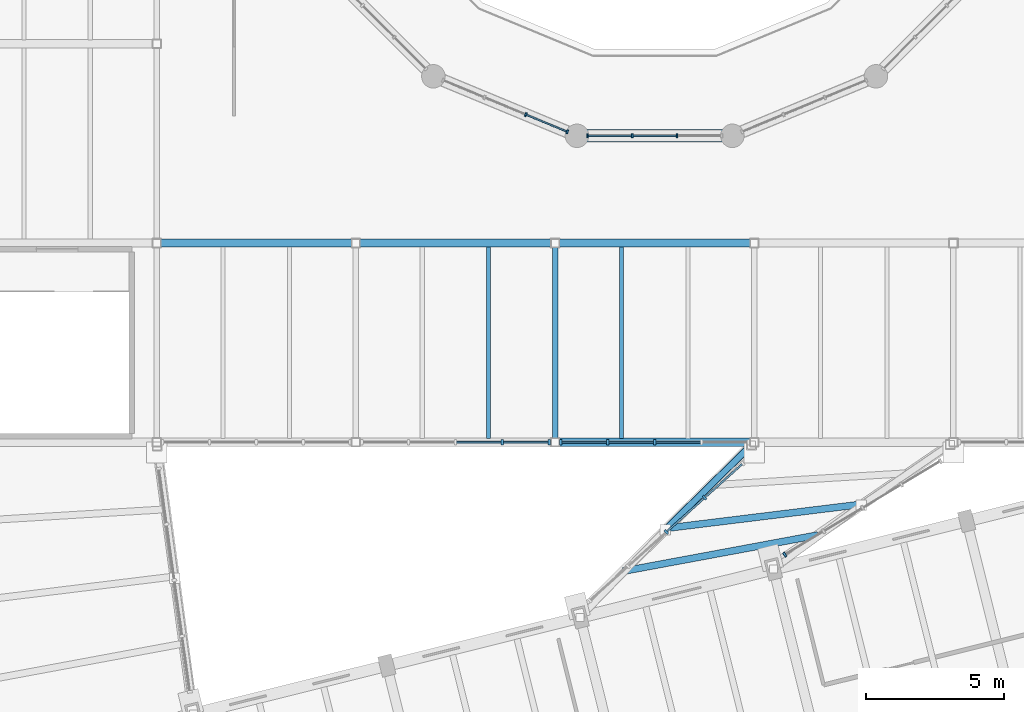
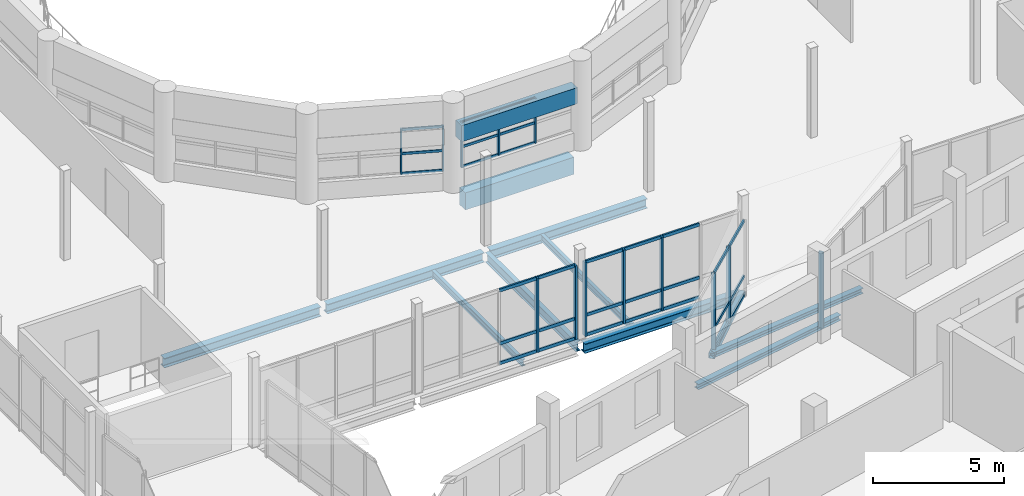
# One storey, part 19 of 63: 44 members, 11 beams, 6 elements without a shape of their own.
"""IFC4 building model written with IfcOpenShell, lengths in metres."""

from ifc_helpers import new_model, si_unit, direction, frame, origin, origin_2d, place, context, subcontext, project, spatial, rectangle, hollow_rectangle, i_section, extrude, material, material_profile, profile_set, type_object, element, aggregate, save


model = new_model("IFC4")

# Units and contexts
model_context = context("Model", 3, precision=1e-05, world=origin(), true_north=direction((0.0, 1.0)))
body_context = subcontext(model_context, "Body", "Model", "MODEL_VIEW")
ifc_project = project(units=[si_unit("LENGTHUNIT", "METRE"), si_unit("AREAUNIT", "SQUARE_METRE"), si_unit("VOLUMEUNIT", "CUBIC_METRE"), si_unit("PLANEANGLEUNIT", "RADIAN"), si_unit("MASSUNIT", "GRAM", prefix="KILO")], contexts=[model_context])

# Site, building, storey
site_placement = place(None, origin())
site = spatial("IfcSite", under=ifc_project, at=site_placement, CompositionType="ELEMENT")
building_placement = place(site_placement, origin())
building = spatial("IfcBuilding", under=site, at=building_placement, Name="Qiaolan Assembly House", CompositionType="ELEMENT")
storey_placement = place(building_placement, frame((0.0, 0.0, 14.39990234375)))
storey = spatial("IfcBuildingStorey", under=building, at=storey_placement, Name="L03", CompositionType="ELEMENT", Elevation=14.39990234375)

# Beams
ifc_material_1 = material(Name="Steel Q355B", Category="steel")
ifc_material_profile_1 = material_profile(ifc_material_1, i_section(OverallWidth=0.25, OverallDepth=0.25, WebThickness=0.009033203125, FlangeThickness=0.013916015625, FilletRadius=0.01611328125, at=origin_2d()), Name="HW 250x250x9x14")
ifc_profile_set_1 = profile_set([ifc_material_profile_1], Name="Steel Q355B")
beam_type_1 = type_object("IfcBeamType", Name="BM-BRIDGE-CROSS-HW250", PredefinedType="BEAM", material=ifc_profile_set_1)
beam_1_placement = place(storey_placement, frame((67.257080078125, 31.337890625, -0.31494140625), z_axis=(0.983212514339, 0.182464110572, 0.0), x_axis=(-0.182464110572, 0.983212514339, 0.0)))
element("IfcBeam", 1, at=beam_1_placement, inside=storey, type_object=beam_type_1, Name="BGB-02 skybridge cross beam EB L03", PredefinedType="BEAM", context=body_context, shape_type="SweptSolid", body=[
    extrude(i_section(OverallWidth=0.25, OverallDepth=0.25, WebThickness=0.009033203125, FlangeThickness=0.013916015625, FilletRadius=0.01611328125, at=origin_2d()), origin(), (0.0, 0.0, 1.0), 7.15966796875),
])
beam_2_placement = place(storey_placement, frame((68.838134765625, 32.89208984375, -0.31494140625), z_axis=(0.992547225406, 0.121860597977, 0.0), x_axis=(-0.121860597977, 0.992547225406, 0.0)))
element("IfcBeam", 2, at=beam_2_placement, inside=storey, type_object=beam_type_1, Name="BGB-02 skybridge cross beam EB L03", PredefinedType="BEAM", context=body_context, shape_type="SweptSolid", body=[
    extrude(i_section(OverallWidth=0.25, OverallDepth=0.25, WebThickness=0.009033203125, FlangeThickness=0.013916015625, FilletRadius=0.01611328125, at=origin_2d()), origin(), (0.0, 0.0, 1.0), 7.146240234375),
])
ifc_material_2 = material(Name="Concrete C40/50", Category="concrete")
ifc_material_profile_2 = material_profile(ifc_material_2, rectangle(XDim=0.449951171875, YDim=0.75, at=origin_2d()), Name="RCB 450x750")
ifc_profile_set_2 = profile_set([ifc_material_profile_2], Name="Concrete C40/50")
beam_type_2 = type_object("IfcBeamType", Name="BM-RC-450x750", PredefinedType="BEAM", material=ifc_profile_set_2)
beam_3_placement = place(storey_placement, frame((70.959228515625, 47.07666015625, 2.525146484375), z_axis=(-1.0, 0.0, 0.0), x_axis=(0.0, -1.0, 0.0)))
element("IfcBeam", 3, at=beam_3_placement, inside=storey, type_object=beam_type_2, Name="GB-04 drum clerestory lintel beam 12 L03", PredefinedType="BEAM", context=body_context, shape_type="SweptSolid", body=[
    extrude(rectangle(XDim=0.449951171875, YDim=0.75, at=origin_2d()), origin(), (0.0, 0.0, 1.0), 5.118408203125),
])
ifc_material_profile_3 = material_profile(ifc_material_2, rectangle(XDim=0.449951171875, YDim=0.800048828125, at=origin_2d()), Name="RCB 450x800")
ifc_profile_set_3 = profile_set([ifc_material_profile_3], Name="Concrete C40/50")
beam_type_3 = type_object("IfcBeamType", Name="BM-RC-450x800", PredefinedType="BEAM", material=ifc_profile_set_3)
beam_4_placement = place(storey_placement, frame((66.005615234375, 47.07666015625, -0.68994140625), z_axis=(1.0, 0.0, 0.0), x_axis=(0.0, 1.0, 0.0)))
element("IfcBeam", 4, at=beam_4_placement, inside=storey, type_object=beam_type_3, Name="GB-03 beam BM-DRUM-L03-11", PredefinedType="BEAM", context=body_context, shape_type="SweptSolid", body=[
    extrude(rectangle(XDim=0.449951171875, YDim=0.800048828125, at=origin_2d()), origin(), (0.0, 0.0, 1.0), 4.78857421875),
])
ifc_material_profile_4 = material_profile(ifc_material_1, i_section(OverallWidth=0.300048828125, OverallDepth=0.43994140625, WebThickness=0.010986328125, FlangeThickness=0.01806640625, FilletRadius=0.02001953125, at=origin_2d()), Name="HM 440x300x11x18")
ifc_profile_set_4 = profile_set([ifc_material_profile_4], Name="Steel Q355B")
beam_type_4 = type_object("IfcBeamType", Name="BM-STL-HM440", PredefinedType="BEAM", material=ifc_profile_set_4)
beam_5_placement = place(storey_placement, frame((64.945068359375, 36.0, -0.52001953125), z_axis=(1.0, 0.0, 0.0), x_axis=(0.0, 1.0, 0.0)))
element("IfcBeam", 5, at=beam_5_placement, inside=storey, type_object=beam_type_4, Name="SB-06 beam BMX-HLC-L03-03-00", PredefinedType="BEAM", context=body_context, shape_type="SweptSolid", body=[
    extrude(i_section(OverallWidth=0.300048828125, OverallDepth=0.43994140625, WebThickness=0.010986328125, FlangeThickness=0.01806640625, FilletRadius=0.02001953125, at=origin_2d()), origin(), (0.0, 0.0, 1.0), 6.909912109375),
])
for number, where, z_axis, x_axis, name in (
    (6, (50.5400390625, 43.199951171875, -0.52001953125), (1.0, 0.0, 0.0), (0.0, 1.0, 0.0), "SB-06 beam BMX-HLC-L03-01-01"),
    (7, (57.739990234375, 43.199951171875, -0.52001953125), (1.0, 0.0, 0.0), (0.0, 1.0, 0.0), "SB-06 beam BMX-HLC-L03-02-01"),
):
    element("IfcBeam", number, at=place(storey_placement, frame(where, z_axis=z_axis, x_axis=x_axis)), inside=storey, type_object=beam_type_4, Name=name, PredefinedType="BEAM", context=body_context, shape_type="SweptSolid", body=[
        extrude(i_section(OverallWidth=0.300048828125, OverallDepth=0.43994140625, WebThickness=0.010986328125, FlangeThickness=0.01806640625, FilletRadius=0.02001953125, at=origin_2d()), origin(), (0.0, 0.0, 1.0), 6.919921875),
    ])
beam_6_placement = place(storey_placement, frame((64.93994140625, 43.199951171875, -0.52001953125), z_axis=(1.0, 0.0, 0.0), x_axis=(0.0, 1.0, 0.0)))
element("IfcBeam", 8, at=beam_6_placement, inside=storey, type_object=beam_type_4, Name="SB-06 beam BMX-HLC-L03-03-01", PredefinedType="BEAM", context=body_context, shape_type="SweptSolid", body=[
    extrude(i_section(OverallWidth=0.300048828125, OverallDepth=0.43994140625, WebThickness=0.010986328125, FlangeThickness=0.01806640625, FilletRadius=0.02001953125, at=origin_2d()), origin(), (0.0, 0.0, 1.0), 6.920166015625),
])
ifc_material_profile_5 = material_profile(ifc_material_1, i_section(OverallWidth=0.199951171875, OverallDepth=0.449951171875, WebThickness=0.009033203125, FlangeThickness=0.013916015625, FilletRadius=0.01611328125, at=origin_2d()), Name="HN 450x200x9x14")
ifc_profile_set_5 = profile_set([ifc_material_profile_5], Name="Steel Q355B")
beam_type_5 = type_object("IfcBeamType", Name="BM-STL-HN450", PredefinedType="BEAM", material=ifc_profile_set_5)
beam_7_placement = place(storey_placement, frame((64.800048828125, 36.14501953125, -0.52490234375), z_axis=(0.0, 1.0, 0.0), x_axis=(-1.0, 0.0, 0.0)))
element("IfcBeam", 9, at=beam_7_placement, inside=storey, type_object=beam_type_5, Name="SB-07 beam BMY-HLC-L03-03-00", PredefinedType="BEAM", context=body_context, shape_type="SweptSolid", body=[
    extrude(i_section(OverallWidth=0.199951171875, OverallDepth=0.449951171875, WebThickness=0.009033203125, FlangeThickness=0.013916015625, FilletRadius=0.01611328125, at=origin_2d()), origin(), (0.0, 0.0, 1.0), 6.9150390625),
])

# Curtain wall, members
ifc_material_3 = material(Name="Anodised bronze aluminium", Category="aluminium")
curtain_wall_type_1 = type_object("IfcCurtainWallType", Name="CW-BRIDGE-420", PredefinedType="NOTDEFINED", material=ifc_material_3)
curtain_wall_1_placement = place(storey_placement, origin())
curtain_wall_1 = element("IfcCurtainWall", 10, at=curtain_wall_1_placement, inside=storey, type_object=curtain_wall_type_1, Name="CW-03 Glazed Skybridge Curtain Wall EB L03 W", PredefinedType="NOTDEFINED")
ifc_material_profile_6 = material_profile(ifc_material_3, rectangle(XDim=0.077880859375, YDim=0.179931640625, at=origin_2d()), Name="MUL 78x180")
ifc_profile_set_6 = profile_set([ifc_material_profile_6], Name="Anodised bronze aluminium")
member_type_1 = type_object("IfcMemberType", Name="CW-BRIDGE-420-MUL", PredefinedType="MULLION", material=ifc_profile_set_6)
member_1_placement = place(storey_placement, frame((68.822265625, 32.755126953125, 0.0), z_axis=(0.0, 0.0, 1.0), x_axis=(0.745038147648, 0.667021857624, 0.0)))
member_1 = element("IfcMember", 11, at=member_1_placement, type_object=member_type_1, Name="ML-04 mullion CW-BRIDGE-EB-L03-W-3", PredefinedType="MULLION", context=body_context, shape_type="SweptSolid", body=[
    extrude(rectangle(XDim=0.077880859375, YDim=0.179931640625, at=origin_2d()), origin(), (0.0, 0.0, 1.0), 3.550048828125),
])
member_2_placement = place(storey_placement, frame((70.206298828125, 33.994140625, 0.0), z_axis=(0.0, 0.0, 1.0), x_axis=(0.745038147648, 0.667021857624, 0.0)))
member_2 = element("IfcMember", 12, at=member_2_placement, type_object=member_type_1, Name="ML-04 mullion CW-BRIDGE-EB-L03-W-4", PredefinedType="MULLION", context=body_context, shape_type="SweptSolid", body=[
    extrude(rectangle(XDim=0.077880859375, YDim=0.179931640625, at=origin_2d()), origin(), (0.0, 0.0, 1.0), 3.550048828125),
])

# Curtain wall, member
curtain_wall_2_placement = place(storey_placement, origin())
curtain_wall_2 = element("IfcCurtainWall", 13, at=curtain_wall_2_placement, inside=storey, type_object=curtain_wall_type_1, Name="CW-03 Glazed Skybridge Curtain Wall EB L03 E", PredefinedType="NOTDEFINED")
member_3_placement = place(storey_placement, frame((73.102294921875, 31.935302734375, 0.0), z_axis=(0.0, 0.0, 1.0), x_axis=(-0.857119666196, -0.515117343739, 0.0)))
member_3 = element("IfcMember", 14, at=member_3_placement, type_object=member_type_1, Name="ML-04 mullion CW-BRIDGE-EB-L03-E-5", PredefinedType="MULLION", context=body_context, shape_type="SweptSolid", body=[
    extrude(rectangle(XDim=0.077880859375, YDim=0.179931640625, at=origin_2d()), origin(), (0.0, 0.0, 1.0), 3.550048828125),
])
aggregate(curtain_wall_2, [member_3])

# Member
ifc_material_profile_7 = material_profile(ifc_material_3, rectangle(XDim=0.068115234375, YDim=0.139892578125, at=origin_2d()), Name="TRN 68x140")
ifc_profile_set_7 = profile_set([ifc_material_profile_7], Name="Anodised bronze aluminium")
member_type_2 = type_object("IfcMemberType", Name="CW-BRIDGE-420-TRN", PredefinedType="USERDEFINED", material=ifc_profile_set_7)
member_4_placement = place(storey_placement, frame((68.851318359375, 32.781005859375, 0.030029296875), z_axis=(0.745058300166, 0.666999347341, 0.0), x_axis=(-0.666999347341, 0.745058300166, 0.0)))
member_4 = element("IfcMember", 15, at=member_4_placement, type_object=member_type_2, Name="TR-04 transom CW-BRIDGE-EB-L03-W-3-1", ObjectType="TRANSOM", PredefinedType="USERDEFINED", context=body_context, shape_type="SweptSolid", body=[
    extrude(rectangle(XDim=0.068115234375, YDim=0.139892578125, at=origin_2d()), origin(), (0.0, 0.0, 1.0), 1.779541015625),
])

member_5_placement = place(storey_placement, frame((68.851318359375, 32.781005859375, 0.9501953125), z_axis=(0.745058300166, 0.666999347341, 0.0), x_axis=(-0.666999347341, 0.745058300166, 0.0)))
member_5 = element("IfcMember", 16, at=member_5_placement, type_object=member_type_2, Name="TR-04 transom CW-BRIDGE-EB-L03-W-3-2", ObjectType="TRANSOM", PredefinedType="USERDEFINED", context=body_context, shape_type="SweptSolid", body=[
    extrude(rectangle(XDim=0.068115234375, YDim=0.139892578125, at=origin_2d()), origin(), (0.0, 0.0, 1.0), 1.779541015625),
])

member_6_placement = place(storey_placement, frame((68.851318359375, 32.781005859375, 3.52001953125), z_axis=(0.745058300166, 0.666999347341, 0.0), x_axis=(-0.666999347341, 0.745058300166, 0.0)))
member_6 = element("IfcMember", 17, at=member_6_placement, type_object=member_type_2, Name="TR-04 transom CW-BRIDGE-EB-L03-W-3-3", ObjectType="TRANSOM", PredefinedType="USERDEFINED", context=body_context, shape_type="SweptSolid", body=[
    extrude(rectangle(XDim=0.068115234375, YDim=0.139892578125, at=origin_2d()), origin(), (0.0, 0.0, 1.0), 1.779541015625),
])

member_7_placement = place(storey_placement, frame((70.2353515625, 34.02001953125, 0.030029296875), z_axis=(0.744997258292, 0.66706752667, 0.0), x_axis=(-0.66706752667, 0.744997258292, 0.0)))
member_7 = element("IfcMember", 18, at=member_7_placement, type_object=member_type_2, Name="TR-04 transom CW-BRIDGE-EB-L03-W-4-1", ObjectType="TRANSOM", PredefinedType="USERDEFINED", context=body_context, shape_type="SweptSolid", body=[
    extrude(rectangle(XDim=0.068115234375, YDim=0.139892578125, at=origin_2d()), origin(), (0.0, 0.0, 1.0), 1.779541015625),
])

member_8_placement = place(storey_placement, frame((70.2353515625, 34.02001953125, 0.9501953125), z_axis=(0.744997258292, 0.66706752667, 0.0), x_axis=(-0.66706752667, 0.744997258292, 0.0)))
member_8 = element("IfcMember", 19, at=member_8_placement, type_object=member_type_2, Name="TR-04 transom CW-BRIDGE-EB-L03-W-4-2", ObjectType="TRANSOM", PredefinedType="USERDEFINED", context=body_context, shape_type="SweptSolid", body=[
    extrude(rectangle(XDim=0.068115234375, YDim=0.139892578125, at=origin_2d()), origin(), (0.0, 0.0, 1.0), 1.779541015625),
])

member_9_placement = place(storey_placement, frame((70.2353515625, 34.02001953125, 3.52001953125), z_axis=(0.744997258292, 0.66706752667, 0.0), x_axis=(-0.66706752667, 0.744997258292, 0.0)))
member_9 = element("IfcMember", 20, at=member_9_placement, type_object=member_type_2, Name="TR-04 transom CW-BRIDGE-EB-L03-W-4-3", ObjectType="TRANSOM", PredefinedType="USERDEFINED", context=body_context, shape_type="SweptSolid", body=[
    extrude(rectangle(XDim=0.068115234375, YDim=0.139892578125, at=origin_2d()), origin(), (0.0, 0.0, 1.0), 1.779541015625),
])

aggregate(curtain_wall_1, [member_1, member_2, member_4, member_5, member_6, member_7, member_8, member_9])

# Curtain wall, members
curtain_wall_type_2 = type_object("IfcCurtainWallType", Name="CW-DRUM-CLERESTORY", PredefinedType="NOTDEFINED", material=ifc_material_3)
curtain_wall_3_placement = place(storey_placement, origin())
curtain_wall_3 = element("IfcCurtainWall", 21, at=curtain_wall_3_placement, inside=storey, type_object=curtain_wall_type_2, Name="CW-06 Council Chamber Drum Clerestory Curtain Wall 11", PredefinedType="NOTDEFINED")
ifc_material_profile_8 = material_profile(ifc_material_3, rectangle(XDim=0.06591796875, YDim=0.14501953125, at=origin_2d()), Name="MUL 66x145")
ifc_profile_set_8 = profile_set([ifc_material_profile_8], Name="Anodised bronze aluminium")
member_type_3 = type_object("IfcMemberType", Name="CW-DRUM-CLERESTORY-MUL", PredefinedType="MULLION", material=ifc_profile_set_8)
member_10_placement = place(storey_placement, frame((65.23974609375, 47.22216796875, 0.800048828125), z_axis=(0.0, 0.0, 1.0), x_axis=(-0.923879539691, 0.382683415031, 0.0)))
member_10 = element("IfcMember", 22, at=member_10_placement, type_object=member_type_3, Name="ML-07 mullion CW-DRUM-CLER-10-1", PredefinedType="MULLION", context=body_context, shape_type="SweptSolid", body=[
    extrude(rectangle(XDim=0.06591796875, YDim=0.14501953125, at=origin_2d()), origin(), (0.0, 0.0, 1.0), 2.10009765625),
])
member_11_placement = place(storey_placement, frame((63.743408203125, 47.841796875, 0.800048828125), z_axis=(0.0, 0.0, 1.0), x_axis=(-0.923879539691, 0.382683415031, 0.0)))
member_11 = element("IfcMember", 23, at=member_11_placement, type_object=member_type_3, Name="ML-07 mullion CW-DRUM-CLER-10-2", PredefinedType="MULLION", context=body_context, shape_type="SweptSolid", body=[
    extrude(rectangle(XDim=0.06591796875, YDim=0.14501953125, at=origin_2d()), origin(), (0.0, 0.0, 1.0), 2.10009765625),
])

curtain_wall_4_placement = place(storey_placement, origin())
curtain_wall_4 = element("IfcCurtainWall", 24, at=curtain_wall_4_placement, inside=storey, type_object=curtain_wall_type_2, Name="CW-06 Council Chamber Drum Clerestory Curtain Wall 12", PredefinedType="NOTDEFINED")
member_12_placement = place(storey_placement, frame((69.209716796875, 47.07666015625, 0.800048828125), z_axis=(0.0, 0.0, 1.0), x_axis=(-1.0, 0.0, 0.0)))
member_12 = element("IfcMember", 25, at=member_12_placement, type_object=member_type_3, Name="ML-07 mullion CW-DRUM-CLER-11-2", PredefinedType="MULLION", context=body_context, shape_type="SweptSolid", body=[
    extrude(rectangle(XDim=0.06591796875, YDim=0.14501953125, at=origin_2d()), origin(), (0.0, 0.0, 1.0), 2.10009765625),
])
member_13_placement = place(storey_placement, frame((67.590087890625, 47.07666015625, 0.800048828125), z_axis=(0.0, 0.0, 1.0), x_axis=(-1.0, 0.0, 0.0)))
member_13 = element("IfcMember", 26, at=member_13_placement, type_object=member_type_3, Name="ML-07 mullion CW-DRUM-CLER-11-3", PredefinedType="MULLION", context=body_context, shape_type="SweptSolid", body=[
    extrude(rectangle(XDim=0.06591796875, YDim=0.14501953125, at=origin_2d()), origin(), (0.0, 0.0, 1.0), 2.10009765625),
])
member_14_placement = place(storey_placement, frame((65.970703125, 47.07666015625, 0.800048828125), z_axis=(0.0, 0.0, 1.0), x_axis=(-1.0, 0.0, 0.0)))
member_14 = element("IfcMember", 27, at=member_14_placement, type_object=member_type_3, Name="ML-07 mullion CW-DRUM-CLER-11-4", PredefinedType="MULLION", context=body_context, shape_type="SweptSolid", body=[
    extrude(rectangle(XDim=0.06591796875, YDim=0.14501953125, at=origin_2d()), origin(), (0.0, 0.0, 1.0), 2.10009765625),
])

# Member
ifc_material_profile_9 = material_profile(ifc_material_3, rectangle(XDim=0.05810546875, YDim=0.114990234375, at=origin_2d()), Name="TRN 58x115")
ifc_profile_set_9 = profile_set([ifc_material_profile_9], Name="Anodised bronze aluminium")
member_type_4 = type_object("IfcMemberType", Name="CW-DRUM-CLERESTORY-TRN", PredefinedType="USERDEFINED", material=ifc_profile_set_9)
member_15_placement = place(storey_placement, frame((65.209228515625, 47.234619140625, 0.830078125), z_axis=(-0.9238329423, 0.382795891724, 0.0), x_axis=(-0.382795891724, -0.9238329423, 0.0)))
member_15 = element("IfcMember", 28, at=member_15_placement, type_object=member_type_4, Name="TR-07 transom CW-DRUM-CLER-10-1-1", ObjectType="TRANSOM", PredefinedType="USERDEFINED", context=body_context, shape_type="SweptSolid", body=[
    extrude(rectangle(XDim=0.05810546875, YDim=0.114990234375, at=origin_2d()), origin(), (0.0, 0.0, 1.0), 1.5537109375),
])

member_16_placement = place(storey_placement, frame((65.209228515625, 47.234619140625, 1.75), z_axis=(-0.9238329423, 0.382795891724, 0.0), x_axis=(-0.382795891724, -0.9238329423, 0.0)))
member_16 = element("IfcMember", 29, at=member_16_placement, type_object=member_type_4, Name="TR-07 transom CW-DRUM-CLER-10-1-2", ObjectType="TRANSOM", PredefinedType="USERDEFINED", context=body_context, shape_type="SweptSolid", body=[
    extrude(rectangle(XDim=0.05810546875, YDim=0.114990234375, at=origin_2d()), origin(), (0.0, 0.0, 1.0), 1.5537109375),
])

member_17_placement = place(storey_placement, frame((65.209228515625, 47.234619140625, 2.8701171875), z_axis=(-0.9238329423, 0.382795891724, 0.0), x_axis=(-0.382795891724, -0.9238329423, 0.0)))
member_17 = element("IfcMember", 30, at=member_17_placement, type_object=member_type_4, Name="TR-07 transom CW-DRUM-CLER-10-1-3", ObjectType="TRANSOM", PredefinedType="USERDEFINED", context=body_context, shape_type="SweptSolid", body=[
    extrude(rectangle(XDim=0.05810546875, YDim=0.114990234375, at=origin_2d()), origin(), (0.0, 0.0, 1.0), 1.5537109375),
])

aggregate(curtain_wall_3, [member_10, member_11, member_15, member_16, member_17])

member_18_placement = place(storey_placement, frame((69.1767578125, 47.07666015625, 0.830078125), z_axis=(-1.0, 0.0, 0.0), x_axis=(0.0, -1.0, 0.0)))
member_18 = element("IfcMember", 31, at=member_18_placement, type_object=member_type_4, Name="TR-07 transom CW-DRUM-CLER-11-2-1", ObjectType="TRANSOM", PredefinedType="USERDEFINED", context=body_context, shape_type="SweptSolid", body=[
    extrude(rectangle(XDim=0.05810546875, YDim=0.114990234375, at=origin_2d()), origin(), (0.0, 0.0, 1.0), 1.553466796875),
])

member_19_placement = place(storey_placement, frame((69.1767578125, 47.07666015625, 1.75), z_axis=(-1.0, 0.0, 0.0), x_axis=(0.0, -1.0, 0.0)))
member_19 = element("IfcMember", 32, at=member_19_placement, type_object=member_type_4, Name="TR-07 transom CW-DRUM-CLER-11-2-2", ObjectType="TRANSOM", PredefinedType="USERDEFINED", context=body_context, shape_type="SweptSolid", body=[
    extrude(rectangle(XDim=0.05810546875, YDim=0.114990234375, at=origin_2d()), origin(), (0.0, 0.0, 1.0), 1.553466796875),
])

member_20_placement = place(storey_placement, frame((69.1767578125, 47.07666015625, 2.8701171875), z_axis=(-1.0, 0.0, 0.0), x_axis=(0.0, -1.0, 0.0)))
member_20 = element("IfcMember", 33, at=member_20_placement, type_object=member_type_4, Name="TR-07 transom CW-DRUM-CLER-11-2-3", ObjectType="TRANSOM", PredefinedType="USERDEFINED", context=body_context, shape_type="SweptSolid", body=[
    extrude(rectangle(XDim=0.05810546875, YDim=0.114990234375, at=origin_2d()), origin(), (0.0, 0.0, 1.0), 1.553466796875),
])

member_21_placement = place(storey_placement, frame((67.55712890625, 47.07666015625, 0.830078125), z_axis=(-1.0, 0.0, 0.0), x_axis=(0.0, -1.0, 0.0)))
member_21 = element("IfcMember", 34, at=member_21_placement, type_object=member_type_4, Name="TR-07 transom CW-DRUM-CLER-11-3-1", ObjectType="TRANSOM", PredefinedType="USERDEFINED", context=body_context, shape_type="SweptSolid", body=[
    extrude(rectangle(XDim=0.05810546875, YDim=0.114990234375, at=origin_2d()), origin(), (0.0, 0.0, 1.0), 1.553466796875),
])

member_22_placement = place(storey_placement, frame((67.55712890625, 47.07666015625, 1.75), z_axis=(-1.0, 0.0, 0.0), x_axis=(0.0, -1.0, 0.0)))
member_22 = element("IfcMember", 35, at=member_22_placement, type_object=member_type_4, Name="TR-07 transom CW-DRUM-CLER-11-3-2", ObjectType="TRANSOM", PredefinedType="USERDEFINED", context=body_context, shape_type="SweptSolid", body=[
    extrude(rectangle(XDim=0.05810546875, YDim=0.114990234375, at=origin_2d()), origin(), (0.0, 0.0, 1.0), 1.553466796875),
])

member_23_placement = place(storey_placement, frame((67.55712890625, 47.07666015625, 2.8701171875), z_axis=(-1.0, 0.0, 0.0), x_axis=(0.0, -1.0, 0.0)))
member_23 = element("IfcMember", 36, at=member_23_placement, type_object=member_type_4, Name="TR-07 transom CW-DRUM-CLER-11-3-3", ObjectType="TRANSOM", PredefinedType="USERDEFINED", context=body_context, shape_type="SweptSolid", body=[
    extrude(rectangle(XDim=0.05810546875, YDim=0.114990234375, at=origin_2d()), origin(), (0.0, 0.0, 1.0), 1.553466796875),
])

aggregate(curtain_wall_4, [member_12, member_13, member_14, member_18, member_19, member_20, member_21, member_22, member_23])

# Curtain wall, members
curtain_wall_type_3 = type_object("IfcCurtainWallType", Name="CW-HALL-CONC-420", PredefinedType="NOTDEFINED", material=ifc_material_3)
curtain_wall_5_placement = place(storey_placement, origin())
curtain_wall_5 = element("IfcCurtainWall", 37, at=curtain_wall_5_placement, inside=storey, type_object=curtain_wall_type_3, Name="CW-07 L03 Concourse South CW 3", PredefinedType="NOTDEFINED")
ifc_material_profile_10 = material_profile(ifc_material_3, rectangle(XDim=0.08203125, YDim=0.18994140625, at=origin_2d()), Name="MUL 82x190")
ifc_profile_set_10 = profile_set([ifc_material_profile_10], Name="Anodised bronze aluminium")
member_type_5 = type_object("IfcMemberType", Name="CW-HALL-CONC-420-MUL", PredefinedType="MULLION", material=ifc_profile_set_10)
member_24_placement = place(storey_placement, frame((62.89501953125, 36.0, 0.0), z_axis=(0.0, 0.0, 1.0), x_axis=(1.0, 0.0, 0.0)))
member_24 = element("IfcMember", 38, at=member_24_placement, type_object=member_type_5, Name="ML-03 mullion CW-HLC-S-02-4", PredefinedType="MULLION", context=body_context, shape_type="SweptSolid", body=[
    extrude(rectangle(XDim=0.08203125, YDim=0.18994140625, at=origin_2d()), origin(), (0.0, 0.0, 1.0), 3.4501953125),
])
member_25_placement = place(storey_placement, frame((64.590087890625, 36.0, 0.0), z_axis=(0.0, 0.0, 1.0), x_axis=(1.0, 0.0, 0.0)))
member_25 = element("IfcMember", 39, at=member_25_placement, type_object=member_type_5, Name="ML-03 mullion CW-HLC-S-02-5", PredefinedType="MULLION", context=body_context, shape_type="SweptSolid", body=[
    extrude(rectangle(XDim=0.08203125, YDim=0.18994140625, at=origin_2d()), origin(), (0.0, 0.0, 1.0), 3.4501953125),
])

curtain_wall_6_placement = place(storey_placement, origin())
curtain_wall_6 = element("IfcCurtainWall", 40, at=curtain_wall_6_placement, inside=storey, type_object=curtain_wall_type_3, Name="CW-07 L03 Concourse South CW 4", PredefinedType="NOTDEFINED")
member_26_placement = place(storey_placement, frame((65.010009765625, 36.0, 0.0), z_axis=(0.0, 0.0, 1.0), x_axis=(1.0, 0.0, 0.0)))
member_26 = element("IfcMember", 41, at=member_26_placement, type_object=member_type_5, Name="ML-03 mullion CW-HLC-S-03-1", PredefinedType="MULLION", context=body_context, shape_type="SweptSolid", body=[
    extrude(rectangle(XDim=0.08203125, YDim=0.18994140625, at=origin_2d()), origin(), (0.0, 0.0, 1.0), 3.4501953125),
])
member_27_placement = place(storey_placement, frame((66.705078125, 36.0, 0.0), z_axis=(0.0, 0.0, 1.0), x_axis=(1.0, 0.0, 0.0)))
member_27 = element("IfcMember", 42, at=member_27_placement, type_object=member_type_5, Name="ML-03 mullion CW-HLC-S-03-2", PredefinedType="MULLION", context=body_context, shape_type="SweptSolid", body=[
    extrude(rectangle(XDim=0.08203125, YDim=0.18994140625, at=origin_2d()), origin(), (0.0, 0.0, 1.0), 3.4501953125),
])
member_28_placement = place(storey_placement, frame((68.39990234375, 36.0, 0.0), z_axis=(0.0, 0.0, 1.0), x_axis=(1.0, 0.0, 0.0)))
member_28 = element("IfcMember", 43, at=member_28_placement, type_object=member_type_5, Name="ML-03 mullion CW-HLC-S-03-3", PredefinedType="MULLION", context=body_context, shape_type="SweptSolid", body=[
    extrude(rectangle(XDim=0.08203125, YDim=0.18994140625, at=origin_2d()), origin(), (0.0, 0.0, 1.0), 3.4501953125),
])

# Member
ifc_material_profile_11 = material_profile(ifc_material_3, rectangle(XDim=0.072021484375, YDim=0.14501953125, at=origin_2d()), Name="TRN 72x145")
ifc_profile_set_11 = profile_set([ifc_material_profile_11], Name="Anodised bronze aluminium")
member_type_6 = type_object("IfcMemberType", Name="CW-HALL-CONC-420-TRN", PredefinedType="USERDEFINED", material=ifc_profile_set_11)
member_29_placement = place(storey_placement, frame((61.240966796875, 36.0, 0.030029296875), z_axis=(1.0, 0.0, 0.0), x_axis=(0.0, 1.0, 0.0)))
member_29 = element("IfcMember", 44, at=member_29_placement, type_object=member_type_6, Name="TR-03 transom CW-HLC-S-02-3-1", ObjectType="TRANSOM", PredefinedType="USERDEFINED", context=body_context, shape_type="SweptSolid", body=[
    extrude(rectangle(XDim=0.072021484375, YDim=0.14501953125, at=origin_2d()), origin(), (0.0, 0.0, 1.0), 1.613037109375),
])

member_30_placement = place(storey_placement, frame((61.240966796875, 36.0, 0.9501953125), z_axis=(1.0, 0.0, 0.0), x_axis=(0.0, 1.0, 0.0)))
member_30 = element("IfcMember", 45, at=member_30_placement, type_object=member_type_6, Name="TR-03 transom CW-HLC-S-02-3-2", ObjectType="TRANSOM", PredefinedType="USERDEFINED", context=body_context, shape_type="SweptSolid", body=[
    extrude(rectangle(XDim=0.072021484375, YDim=0.14501953125, at=origin_2d()), origin(), (0.0, 0.0, 1.0), 1.613037109375),
])

member_31_placement = place(storey_placement, frame((61.240966796875, 36.0, 3.420166015625), z_axis=(1.0, 0.0, 0.0), x_axis=(0.0, 1.0, 0.0)))
member_31 = element("IfcMember", 46, at=member_31_placement, type_object=member_type_6, Name="TR-03 transom CW-HLC-S-02-3-3", ObjectType="TRANSOM", PredefinedType="USERDEFINED", context=body_context, shape_type="SweptSolid", body=[
    extrude(rectangle(XDim=0.072021484375, YDim=0.14501953125, at=origin_2d()), origin(), (0.0, 0.0, 1.0), 1.613037109375),
])

member_32_placement = place(storey_placement, frame((62.93603515625, 36.0, 0.030029296875), z_axis=(1.0, 0.0, 0.0), x_axis=(0.0, 1.0, 0.0)))
member_32 = element("IfcMember", 47, at=member_32_placement, type_object=member_type_6, Name="TR-03 transom CW-HLC-S-02-4-1", ObjectType="TRANSOM", PredefinedType="USERDEFINED", context=body_context, shape_type="SweptSolid", body=[
    extrude(rectangle(XDim=0.072021484375, YDim=0.14501953125, at=origin_2d()), origin(), (0.0, 0.0, 1.0), 1.613037109375),
])

member_33_placement = place(storey_placement, frame((62.93603515625, 36.0, 0.9501953125), z_axis=(1.0, 0.0, 0.0), x_axis=(0.0, 1.0, 0.0)))
member_33 = element("IfcMember", 48, at=member_33_placement, type_object=member_type_6, Name="TR-03 transom CW-HLC-S-02-4-2", ObjectType="TRANSOM", PredefinedType="USERDEFINED", context=body_context, shape_type="SweptSolid", body=[
    extrude(rectangle(XDim=0.072021484375, YDim=0.14501953125, at=origin_2d()), origin(), (0.0, 0.0, 1.0), 1.613037109375),
])

member_34_placement = place(storey_placement, frame((62.93603515625, 36.0, 3.420166015625), z_axis=(1.0, 0.0, 0.0), x_axis=(0.0, 1.0, 0.0)))
member_34 = element("IfcMember", 49, at=member_34_placement, type_object=member_type_6, Name="TR-03 transom CW-HLC-S-02-4-3", ObjectType="TRANSOM", PredefinedType="USERDEFINED", context=body_context, shape_type="SweptSolid", body=[
    extrude(rectangle(XDim=0.072021484375, YDim=0.14501953125, at=origin_2d()), origin(), (0.0, 0.0, 1.0), 1.613037109375),
])

aggregate(curtain_wall_5, [member_24, member_25, member_29, member_30, member_31, member_32, member_33, member_34])

member_35_placement = place(storey_placement, frame((65.051025390625, 36.0, 0.030029296875), z_axis=(1.0, 0.0, 0.0), x_axis=(0.0, 1.0, 0.0)))
member_35 = element("IfcMember", 50, at=member_35_placement, type_object=member_type_6, Name="TR-03 transom CW-HLC-S-03-1-1", ObjectType="TRANSOM", PredefinedType="USERDEFINED", context=body_context, shape_type="SweptSolid", body=[
    extrude(rectangle(XDim=0.072021484375, YDim=0.14501953125, at=origin_2d()), origin(), (0.0, 0.0, 1.0), 1.613037109375),
])

member_36_placement = place(storey_placement, frame((65.051025390625, 36.0, 0.9501953125), z_axis=(1.0, 0.0, 0.0), x_axis=(0.0, 1.0, 0.0)))
member_36 = element("IfcMember", 51, at=member_36_placement, type_object=member_type_6, Name="TR-03 transom CW-HLC-S-03-1-2", ObjectType="TRANSOM", PredefinedType="USERDEFINED", context=body_context, shape_type="SweptSolid", body=[
    extrude(rectangle(XDim=0.072021484375, YDim=0.14501953125, at=origin_2d()), origin(), (0.0, 0.0, 1.0), 1.613037109375),
])

member_37_placement = place(storey_placement, frame((65.051025390625, 36.0, 3.420166015625), z_axis=(1.0, 0.0, 0.0), x_axis=(0.0, 1.0, 0.0)))
member_37 = element("IfcMember", 52, at=member_37_placement, type_object=member_type_6, Name="TR-03 transom CW-HLC-S-03-1-3", ObjectType="TRANSOM", PredefinedType="USERDEFINED", context=body_context, shape_type="SweptSolid", body=[
    extrude(rectangle(XDim=0.072021484375, YDim=0.14501953125, at=origin_2d()), origin(), (0.0, 0.0, 1.0), 1.613037109375),
])

member_38_placement = place(storey_placement, frame((66.74609375, 36.0, 0.030029296875), z_axis=(1.0, 0.0, 0.0), x_axis=(0.0, 1.0, 0.0)))
member_38 = element("IfcMember", 53, at=member_38_placement, type_object=member_type_6, Name="TR-03 transom CW-HLC-S-03-2-1", ObjectType="TRANSOM", PredefinedType="USERDEFINED", context=body_context, shape_type="SweptSolid", body=[
    extrude(rectangle(XDim=0.072021484375, YDim=0.14501953125, at=origin_2d()), origin(), (0.0, 0.0, 1.0), 1.61279296875),
])

member_39_placement = place(storey_placement, frame((66.74609375, 36.0, 0.9501953125), z_axis=(1.0, 0.0, 0.0), x_axis=(0.0, 1.0, 0.0)))
member_39 = element("IfcMember", 54, at=member_39_placement, type_object=member_type_6, Name="TR-03 transom CW-HLC-S-03-2-2", ObjectType="TRANSOM", PredefinedType="USERDEFINED", context=body_context, shape_type="SweptSolid", body=[
    extrude(rectangle(XDim=0.072021484375, YDim=0.14501953125, at=origin_2d()), origin(), (0.0, 0.0, 1.0), 1.61279296875),
])

member_40_placement = place(storey_placement, frame((66.74609375, 36.0, 3.420166015625), z_axis=(1.0, 0.0, 0.0), x_axis=(0.0, 1.0, 0.0)))
member_40 = element("IfcMember", 55, at=member_40_placement, type_object=member_type_6, Name="TR-03 transom CW-HLC-S-03-2-3", ObjectType="TRANSOM", PredefinedType="USERDEFINED", context=body_context, shape_type="SweptSolid", body=[
    extrude(rectangle(XDim=0.072021484375, YDim=0.14501953125, at=origin_2d()), origin(), (0.0, 0.0, 1.0), 1.61279296875),
])

member_41_placement = place(storey_placement, frame((68.44091796875, 36.0, 0.030029296875), z_axis=(1.0, 0.0, 0.0), x_axis=(0.0, 1.0, 0.0)))
member_41 = element("IfcMember", 56, at=member_41_placement, type_object=member_type_6, Name="TR-03 transom CW-HLC-S-03-3-1", ObjectType="TRANSOM", PredefinedType="USERDEFINED", context=body_context, shape_type="SweptSolid", body=[
    extrude(rectangle(XDim=0.072021484375, YDim=0.14501953125, at=origin_2d()), origin(), (0.0, 0.0, 1.0), 1.613037109375),
])

member_42_placement = place(storey_placement, frame((68.44091796875, 36.0, 0.9501953125), z_axis=(1.0, 0.0, 0.0), x_axis=(0.0, 1.0, 0.0)))
member_42 = element("IfcMember", 57, at=member_42_placement, type_object=member_type_6, Name="TR-03 transom CW-HLC-S-03-3-2", ObjectType="TRANSOM", PredefinedType="USERDEFINED", context=body_context, shape_type="SweptSolid", body=[
    extrude(rectangle(XDim=0.072021484375, YDim=0.14501953125, at=origin_2d()), origin(), (0.0, 0.0, 1.0), 1.613037109375),
])

member_43_placement = place(storey_placement, frame((68.44091796875, 36.0, 3.420166015625), z_axis=(1.0, 0.0, 0.0), x_axis=(0.0, 1.0, 0.0)))
member_43 = element("IfcMember", 58, at=member_43_placement, type_object=member_type_6, Name="TR-03 transom CW-HLC-S-03-3-3", ObjectType="TRANSOM", PredefinedType="USERDEFINED", context=body_context, shape_type="SweptSolid", body=[
    extrude(rectangle(XDim=0.072021484375, YDim=0.14501953125, at=origin_2d()), origin(), (0.0, 0.0, 1.0), 1.613037109375),
])

aggregate(curtain_wall_6, [member_26, member_27, member_28, member_35, member_36, member_37, member_38, member_39, member_40, member_41, member_42, member_43])

# Beams
ifc_material_profile_12 = material_profile(ifc_material_1, i_section(OverallWidth=0.14990234375, OverallDepth=0.300048828125, WebThickness=0.006591796875, FlangeThickness=0.009033203125, FilletRadius=0.012939453125, at=origin_2d()), Name="HN 300x150x6.5x9")
ifc_profile_set_12 = profile_set([ifc_material_profile_12], Name="Steel Q355B")
beam_type_6 = type_object("IfcBeamType", Name="JST-STL-HN300", PredefinedType="JOIST", material=ifc_profile_set_12)
for number, where, z_axis, x_axis, name in (
    (59, (62.39990234375, 36.14404296875, -0.449951171875), (0.0, 1.0, 0.0), (-1.0, 0.0, 0.0), "SJ-02 beam JST-HLC-L03-02-00-2"),
    (60, (67.199951171875, 36.14404296875, -0.449951171875), (0.0, 1.0, 0.0), (-1.0, 0.0, 0.0), "SJ-02 beam JST-HLC-L03-03-00-1"),
):
    element("IfcBeam", number, at=place(storey_placement, frame(where, z_axis=z_axis, x_axis=x_axis)), inside=storey, type_object=beam_type_6, Name=name, PredefinedType="JOIST", context=body_context, shape_type="SweptSolid", body=[
        extrude(i_section(OverallWidth=0.14990234375, OverallDepth=0.300048828125, WebThickness=0.006591796875, FlangeThickness=0.009033203125, FilletRadius=0.012939453125, at=origin_2d()), origin(), (0.0, 0.0, 1.0), 6.911865234375),
    ])

# Member
ifc_material_profile_13 = material_profile(ifc_material_1, hollow_rectangle(XDim=0.25, YDim=0.25, WallThickness=0.010009765625, InnerFilletRadius=0.010009765625, OuterFilletRadius=0.02001953125, at=origin_2d()), Name="SHS 250x250x10")
ifc_profile_set_13 = profile_set([ifc_material_profile_13], Name="Steel Q355B")
member_type_7 = type_object("IfcMemberType", Name="MBR-BRACE-BRIDGE-SHS250", PredefinedType="BRACE", material=ifc_profile_set_13)
member_44_placement = place(storey_placement, frame((68.7880859375, 32.843017578125, -0.364990234375), z_axis=(0.713178898229, 0.700982067617, 0.0), x_axis=(-0.700982067617, 0.713178898229, 0.0)))
element("IfcMember", 61, at=member_44_placement, inside=storey, type_object=member_type_7, Name="BR-03 skybridge brace EB L03", PredefinedType="BRACE", context=body_context, shape_type="SweptSolid", body=[
    extrude(hollow_rectangle(XDim=0.25, YDim=0.25, WallThickness=0.010009765625, InnerFilletRadius=0.010009765625, OuterFilletRadius=0.02001953125, at=origin_2d()), origin(), (0.0, 0.0, 1.0), 4.363525390625),
])

save(model, "model.ifc")
